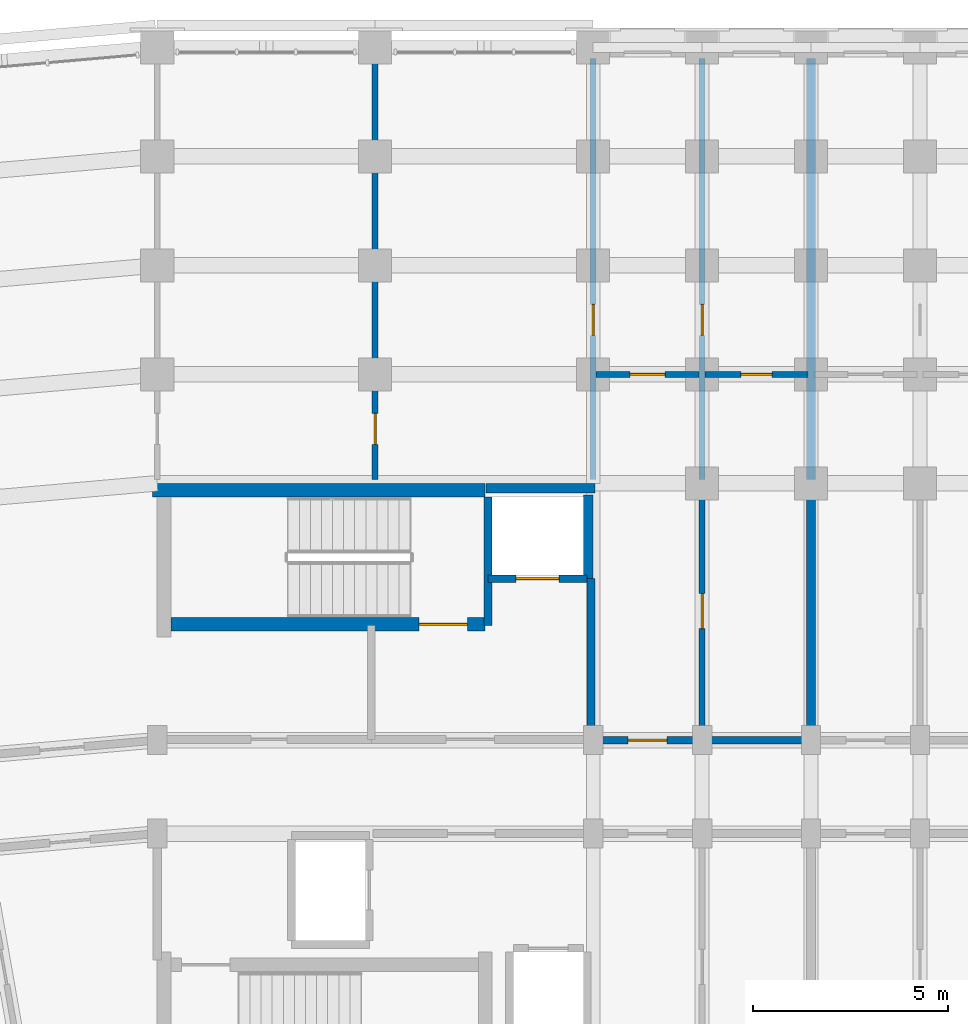
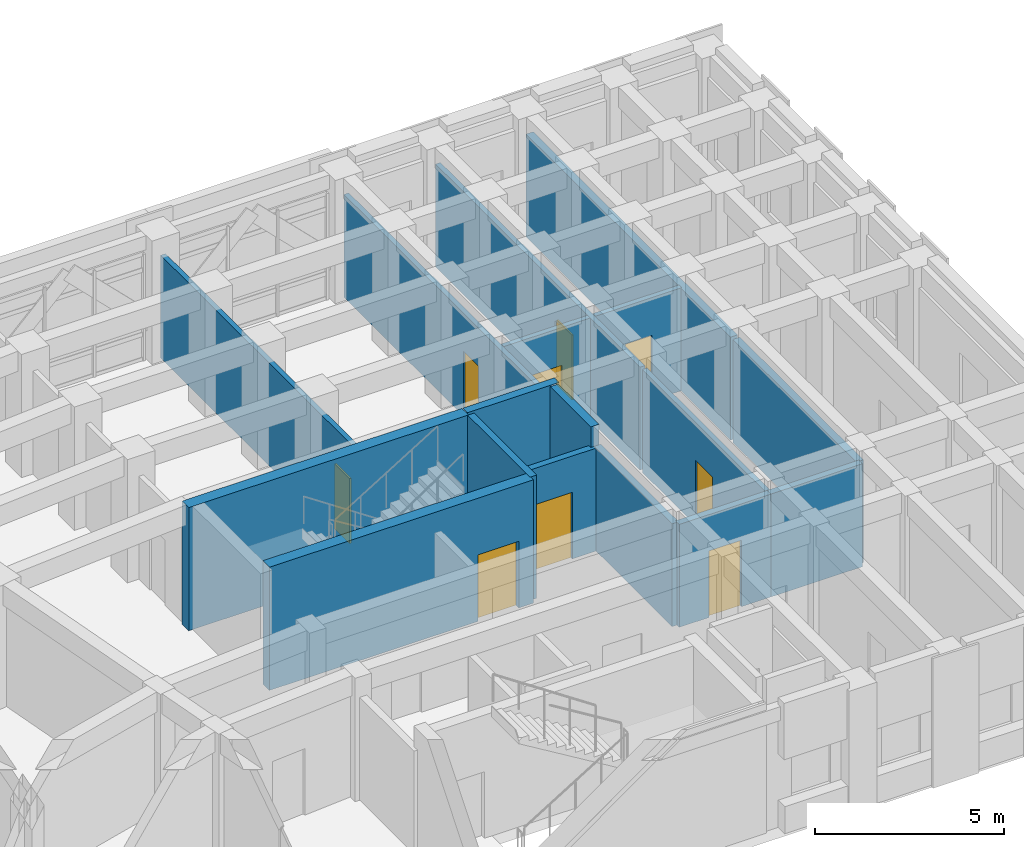
# One storey, part 70 of 97: 17 walls, 9 doors, 9 openings.
"""IFC4 building model written with IfcOpenShell, lengths in metres."""

from ifc_helpers import new_model, si_unit, direction, frame, frame_2d, origin, place, context, subcontext, project, spatial, rectangle, extrude, material, layer, layer_set, type_object, element, fill, save


model = new_model("IFC4")

# Units and contexts
model_context = context("Model", 3, precision=1e-05, world=origin(), true_north=direction((0.0, 1.0)))
body_context = subcontext(model_context, "Body", "Model", "MODEL_VIEW")
ifc_project = project(units=[si_unit("LENGTHUNIT", "METRE"), si_unit("AREAUNIT", "SQUARE_METRE"), si_unit("VOLUMEUNIT", "CUBIC_METRE"), si_unit("PLANEANGLEUNIT", "RADIAN"), si_unit("MASSUNIT", "GRAM", prefix="KILO")], contexts=[model_context])

# Site, building, storey
site_placement = place(None, origin())
site = spatial("IfcSite", under=ifc_project, at=site_placement, CompositionType="ELEMENT")
building_placement = place(site_placement, origin())
building = spatial("IfcBuilding", under=site, at=building_placement, Name="Kiranvali Square Residences", CompositionType="ELEMENT")
storey_placement = place(building_placement, frame((0.0, 0.0, 4.5)))
storey = spatial("IfcBuildingStorey", under=building, at=storey_placement, Name="L01", CompositionType="ELEMENT", Elevation=4.5)

# Wall, opening, door
ifc_material_1 = material(Name="Autoclaved aerated concrete blockwork masonry", Category="masonry")
ifc_layer_1 = layer(ifc_material_1, 0.199951171875)
ifc_layer_set_1 = layer_set([ifc_layer_1], Name="Autoclaved aerated concrete blockwork masonry")
wall_type_1 = type_object("IfcWallType", Name="WL-COR-200", PredefinedType="STANDARD", material=ifc_layer_set_1)
wall_1_placement = place(storey_placement, frame((59.39990234375, 116.0, 0.0), z_axis=(0.0, 0.0, 1.0), x_axis=(1.0, 0.0, 0.0)))
wall_1 = element("IfcWall", 1, at=wall_1_placement, inside=storey, type_object=wall_type_1, Name="L01 architectural wall WL-L01-A-A1CO-0", PredefinedType="STANDARD", context=body_context, shape_type="SweptSolid", body=[
    extrude(rectangle(XDim=2.800048828125, YDim=0.199951171875, at=frame_2d((1.39990234375, 0.0))), origin(), (0.0, 0.0, 1.0), 3.322021484375),
])
opening_1_placement = place(wall_1_placement, frame((0.89990234375, 0.0, 0.0)))
opening_1 = element("IfcOpeningElement", 2, at=opening_1_placement, cuts=wall_1, Name="Opening FD-APT-60", PredefinedType="OPENING", context=body_context, shape_type="SweptSolid", body=[
    extrude(rectangle(XDim=1.0, YDim=2.14990234375, at=frame_2d((0.5, 1.074951171875))), frame((0.0, 0.10986328125, 0.0), z_axis=(0.0, -1.0, 0.0), x_axis=(1.0, 0.0, 0.0)), (0.0, 0.0, 1.0), 0.219970703125),
])
ifc_material_2 = material(Name="Fire-rated acoustic hardwood and mineral-core door assembly", Category="wood")
door_type_1 = type_object("IfcDoorType", Name="DR-APT-1000", OperationType="NOTDEFINED", PredefinedType="DOOR", material=ifc_material_2)
door_1_placement = place(opening_1_placement, frame((1.0, 0.0, 0.0), z_axis=(0.0, 0.0, 1.0), x_axis=(-1.0, 0.0, 0.0)))
door_1 = element("IfcDoor", 3, at=door_1_placement, inside=storey, type_object=door_type_1, Name="L01 door DR-L01-0110 (DR-APT-1000)", OperationType="SINGLE_SWING_RIGHT", OverallHeight=2.14990234375, OverallWidth=1.0, PredefinedType="DOOR", context=body_context, shape_type="SweptSolid", body=[
    extrude(rectangle(XDim=1.0, YDim=2.14990234375, at=frame_2d((0.5, 1.074951171875))), frame((0.0, 0.02490234375, 0.0), z_axis=(0.0, -1.0, 0.0), x_axis=(1.0, 0.0, 0.0)), (0.0, 0.0, 1.0), 0.050048828125),
])
fill(opening_1, door_1)

# Walls
wall_2_placement = place(storey_placement, frame((62.199951171875, 116.0, 0.0), z_axis=(0.0, 0.0, 1.0), x_axis=(1.0, 0.0, 0.0)))
element("IfcWall", 4, at=wall_2_placement, inside=storey, type_object=wall_type_1, Name="L01 architectural wall WL-L01-A-A1CO-1", PredefinedType="STANDARD", context=body_context, shape_type="SweptSolid", body=[
    extrude(rectangle(XDim=2.800048828125, YDim=0.199951171875, at=frame_2d((1.39990234375, 0.0))), origin(), (0.0, 0.0, 1.0), 3.322021484375),
])
ifc_layer_2 = layer(ifc_material_1, 0.219970703125)
ifc_layer_set_2 = layer_set([ifc_layer_2], Name="Autoclaved aerated concrete blockwork masonry")
wall_type_2 = type_object("IfcWallType", Name="WL-DEM-220", PredefinedType="STANDARD", material=ifc_layer_set_2)
wall_3_placement = place(storey_placement, frame((65.0, 116.050048828125, 0.0), z_axis=(0.0, 0.0, 1.0), x_axis=(0.0, 1.0, 0.0)))
element("IfcWall", 5, at=wall_3_placement, inside=storey, type_object=wall_type_2, Name="L01 architectural wall WL-L01-A-A1TO1-2", PredefinedType="STANDARD", context=body_context, shape_type="SweptSolid", body=[
    extrude(rectangle(XDim=6.530029296875, YDim=0.219970703125, at=frame_2d((3.26513671875, 0.0))), origin(), (0.0, 0.0, 1.0), 3.322021484375),
])
wall_4_placement = place(storey_placement, frame((65.0, 122.699951171875, 0.0), z_axis=(0.0, 0.0, 1.0), x_axis=(0.0, 1.0, 0.0)))
element("IfcWall", 6, at=wall_4_placement, inside=storey, type_object=wall_type_2, Name="L01 architectural wall WL-L01-A-A1TO2-2", PredefinedType="STANDARD", context=body_context, shape_type="SweptSolid", body=[
    extrude(rectangle(XDim=10.820068359375, YDim=0.219970703125, at=frame_2d((5.41015625, 0.0))), origin(), (0.0, 0.0, 1.0), 3.322021484375),
])
ifc_layer_3 = layer(ifc_material_1, 0.199951171875)
ifc_layer_set_3 = layer_set([ifc_layer_3], Name="Autoclaved aerated concrete blockwork masonry")
wall_type_3 = type_object("IfcWallType", Name="WL-FFL-200", PredefinedType="STANDARD", material=ifc_layer_set_3)
wall_5_placement = place(storey_placement, frame((59.35009765625, 116.02001953125, 0.0), z_axis=(0.0, 0.0, 1.0), x_axis=(0.0, 1.0, 0.0)))
element("IfcWall", 7, at=wall_5_placement, inside=storey, type_object=wall_type_3, Name="L01 architectural wall WL-L01-A-FF-END", PredefinedType="STANDARD", context=body_context, shape_type="SweptSolid", body=[
    extrude(rectangle(XDim=4.1298828125, YDim=0.199951171875, at=frame_2d((2.06494140625, 0.0))), origin(), (0.0, 0.0, 1.0), 3.322021484375),
])

# Wall, opening, door
wall_6_placement = place(storey_placement, frame((56.699951171875, 120.14990234375, 0.0), z_axis=(0.0, 0.0, 1.0), x_axis=(1.0, 0.0, 0.0)))
wall_6 = element("IfcWall", 8, at=wall_6_placement, inside=storey, type_object=wall_type_3, Name="L01 architectural wall WL-L01-A-FF-LFT", PredefinedType="STANDARD", context=body_context, shape_type="SweptSolid", body=[
    extrude(rectangle(XDim=2.550048828125, YDim=0.199951171875, at=frame_2d((1.27490234375, 0.0))), origin(), (0.0, 0.0, 1.0), 3.322021484375),
])
opening_2_placement = place(wall_6_placement, frame((0.72509765625, 0.0, 0.0)))
opening_2 = element("IfcOpeningElement", 9, at=opening_2_placement, cuts=wall_6, Name="Opening LD-FF-110", PredefinedType="OPENING", context=body_context, shape_type="SweptSolid", body=[
    extrude(rectangle(XDim=1.10009765625, YDim=2.14990234375, at=frame_2d((0.550048828125, 1.074951171875))), frame((0.0, 0.10986328125, 0.0), z_axis=(0.0, -1.0, 0.0), x_axis=(1.0, 0.0, 0.0)), (0.0, 0.0, 1.0), 0.219970703125),
])
door_type_2 = type_object("IfcDoorType", Name="DR-LIFT-FF-1100", OperationType="SLIDING_TO_LEFT", PredefinedType="DOOR", material=ifc_material_2)
door_2_placement = place(opening_2_placement, origin())
door_2 = element("IfcDoor", 10, at=door_2_placement, inside=storey, type_object=door_type_2, Name="L01 door DR-L01-0098 (DR-LIFT-FF-1100)", OperationType="SLIDING_TO_LEFT", OverallHeight=2.14990234375, OverallWidth=1.10009765625, PredefinedType="DOOR", context=body_context, shape_type="SweptSolid", body=[
    extrude(rectangle(XDim=1.10009765625, YDim=2.14990234375, at=frame_2d((0.550048828125, 1.074951171875))), frame((0.0, 0.02490234375, 0.0), z_axis=(0.0, -1.0, 0.0), x_axis=(1.0, 0.0, 0.0)), (0.0, 0.0, 1.0), 0.050048828125),
])
fill(opening_2, door_2)

ifc_material_3 = material(Name="Acoustic gypsum board drylined partition", Category="gypsum")
ifc_layer_4 = layer(ifc_material_3, 0.14990234375)
ifc_layer_set_4 = layer_set([ifc_layer_4], Name="Acoustic gypsum board drylined partition")
wall_type_4 = type_object("IfcWallType", Name="WL-PRT-150", PredefinedType="PARTITIONING", material=ifc_layer_set_4)
wall_7_placement = place(storey_placement, frame((53.800048828125, 122.699951171875, 0.0), z_axis=(0.0, 0.0, 1.0), x_axis=(0.0, 1.0, 0.0)))
wall_7 = element("IfcWall", 11, at=wall_7_placement, inside=storey, type_object=wall_type_4, Name="L01 architectural wall WL-L01-A-CF-MID", PredefinedType="PARTITIONING", context=body_context, shape_type="SweptSolid", body=[
    extrude(rectangle(XDim=10.820068359375, YDim=0.14990234375, at=frame_2d((5.41015625, 0.0))), origin(), (0.0, 0.0, 1.0), 3.322021484375),
])
opening_3_placement = place(wall_7_placement, frame((0.8994140625, 0.0, 0.0)))
opening_3 = element("IfcOpeningElement", 12, at=opening_3_placement, cuts=wall_7, Name="Opening ID-WET", PredefinedType="OPENING", context=body_context, shape_type="SweptSolid", body=[
    extrude(rectangle(XDim=0.800048828125, YDim=2.10009765625, at=frame_2d((0.39990234375, 1.050048828125))), frame((0.0, 0.0849609375, 0.0), z_axis=(0.0, -1.0, 0.0), x_axis=(1.0, 0.0, 0.0)), (0.0, 0.0, 1.0), 0.169921875),
])
ifc_material_4 = material(Name="Solid seasoned teak hardwood joinery", Category="wood")
door_type_3 = type_object("IfcDoorType", Name="DR-WET-800", OperationType="NOTDEFINED", PredefinedType="DOOR", material=ifc_material_4)
door_3_placement = place(opening_3_placement, origin())
door_3 = element("IfcDoor", 13, at=door_3_placement, inside=storey, type_object=door_type_3, Name="L01 door DR-L01-0107 (DR-WET-800)", OperationType="SINGLE_SWING_LEFT", OverallHeight=2.10009765625, OverallWidth=0.800048828125, PredefinedType="DOOR", context=body_context, shape_type="SweptSolid", body=[
    extrude(rectangle(XDim=0.800048828125, YDim=2.10009765625, at=frame_2d((0.39990234375, 1.050048828125))), frame((0.0, 0.02490234375, 0.0), z_axis=(0.0, -1.0, 0.0), x_axis=(1.0, 0.0, 0.0)), (0.0, 0.0, 1.0), 0.050048828125),
])
fill(opening_3, door_3)

wall_8_placement = place(storey_placement, frame((59.39990234375, 122.699951171875, 0.0), z_axis=(0.0, 0.0, 1.0), x_axis=(0.0, 1.0, 0.0)))
wall_8 = element("IfcWall", 14, at=wall_8_placement, inside=storey, type_object=wall_type_4, Name="L01 architectural wall WL-L01-A-A1TO2-0", PredefinedType="PARTITIONING", context=body_context, shape_type="SweptSolid", body=[
    extrude(rectangle(XDim=10.820068359375, YDim=0.14990234375, at=frame_2d((5.41015625, 0.0))), origin(), (0.0, 0.0, 1.0), 3.322021484375),
])
opening_4_placement = place(wall_8_placement, frame((3.69970703125, 0.0, 0.0)))
opening_4 = element("IfcOpeningElement", 15, at=opening_4_placement, cuts=wall_8, Name="Opening ID-WET", PredefinedType="OPENING", context=body_context, shape_type="SweptSolid", body=[
    extrude(rectangle(XDim=0.800048828125, YDim=2.10009765625, at=frame_2d((0.39990234375, 1.050048828125))), frame((0.0, 0.0849609375, 0.0), z_axis=(0.0, -1.0, 0.0), x_axis=(1.0, 0.0, 0.0)), (0.0, 0.0, 1.0), 0.169921875),
])
door_4_placement = place(opening_4_placement, frame((0.800048828125, 0.0, 0.0), z_axis=(0.0, 0.0, 1.0), x_axis=(-1.0, 0.0, 0.0)))
door_4 = element("IfcDoor", 16, at=door_4_placement, inside=storey, type_object=door_type_3, Name="L01 door DR-L01-0116 (DR-WET-800)", OperationType="SINGLE_SWING_RIGHT", OverallHeight=2.10009765625, OverallWidth=0.800048828125, PredefinedType="DOOR", context=body_context, shape_type="SweptSolid", body=[
    extrude(rectangle(XDim=0.800048828125, YDim=2.10009765625, at=frame_2d((0.39990234375, 1.050048828125))), frame((0.0, 0.02490234375, 0.0), z_axis=(0.0, -1.0, 0.0), x_axis=(1.0, 0.0, 0.0)), (0.0, 0.0, 1.0), 0.050048828125),
])
fill(opening_4, door_4)

wall_9_placement = place(storey_placement, frame((62.199951171875, 116.050048828125, 0.0), z_axis=(0.0, 0.0, 1.0), x_axis=(0.0, 1.0, 0.0)))
wall_9 = element("IfcWall", 17, at=wall_9_placement, inside=storey, type_object=wall_type_4, Name="L01 architectural wall WL-L01-A-A1TO1-1", PredefinedType="PARTITIONING", context=body_context, shape_type="SweptSolid", body=[
    extrude(rectangle(XDim=6.530029296875, YDim=0.14990234375, at=frame_2d((3.26513671875, 0.0))), origin(), (0.0, 0.0, 1.0), 3.322021484375),
])
opening_5_placement = place(wall_9_placement, frame((2.81494140625, 0.0, 0.0)))
opening_5 = element("IfcOpeningElement", 18, at=opening_5_placement, cuts=wall_9, Name="Opening ID-1", PredefinedType="OPENING", context=body_context, shape_type="SweptSolid", body=[
    extrude(rectangle(XDim=0.89990234375, YDim=2.10009765625, at=frame_2d((0.449951171875, 1.050048828125))), frame((0.0, 0.0849609375, 0.0), z_axis=(0.0, -1.0, 0.0), x_axis=(1.0, 0.0, 0.0)), (0.0, 0.0, 1.0), 0.169921875),
])
door_type_4 = type_object("IfcDoorType", Name="DR-INT-900", OperationType="NOTDEFINED", PredefinedType="DOOR", material=ifc_material_4)
door_5_placement = place(opening_5_placement, frame((0.89990234375, 0.0, 0.0), z_axis=(0.0, 0.0, 1.0), x_axis=(-1.0, 0.0, 0.0)))
door_5 = element("IfcDoor", 19, at=door_5_placement, inside=storey, type_object=door_type_4, Name="L01 door DR-L01-0118 (DR-INT-900)", OperationType="SINGLE_SWING_RIGHT", OverallHeight=2.10009765625, OverallWidth=0.89990234375, PredefinedType="DOOR", context=body_context, shape_type="SweptSolid", body=[
    extrude(rectangle(XDim=0.89990234375, YDim=2.10009765625, at=frame_2d((0.449951171875, 1.050048828125))), frame((0.0, 0.02490234375, 0.0), z_axis=(0.0, -1.0, 0.0), x_axis=(1.0, 0.0, 0.0)), (0.0, 0.0, 1.0), 0.050048828125),
])
fill(opening_5, door_5)

wall_10_placement = place(storey_placement, frame((62.199951171875, 122.699951171875, 0.0), z_axis=(0.0, 0.0, 1.0), x_axis=(0.0, 1.0, 0.0)))
wall_10 = element("IfcWall", 20, at=wall_10_placement, inside=storey, type_object=wall_type_4, Name="L01 architectural wall WL-L01-A-A1TO2-1", PredefinedType="PARTITIONING", context=body_context, shape_type="SweptSolid", body=[
    extrude(rectangle(XDim=10.820068359375, YDim=0.14990234375, at=frame_2d((5.41015625, 0.0))), origin(), (0.0, 0.0, 1.0), 3.322021484375),
])
opening_6_placement = place(wall_10_placement, frame((3.69970703125, 0.0, 0.0)))
opening_6 = element("IfcOpeningElement", 21, at=opening_6_placement, cuts=wall_10, Name="Opening ID-WET", PredefinedType="OPENING", context=body_context, shape_type="SweptSolid", body=[
    extrude(rectangle(XDim=0.800048828125, YDim=2.10009765625, at=frame_2d((0.39990234375, 1.050048828125))), frame((0.0, 0.0849609375, 0.0), z_axis=(0.0, -1.0, 0.0), x_axis=(1.0, 0.0, 0.0)), (0.0, 0.0, 1.0), 0.169921875),
])
door_6_placement = place(opening_6_placement, origin())
door_6 = element("IfcDoor", 22, at=door_6_placement, inside=storey, type_object=door_type_3, Name="L01 door DR-L01-0119 (DR-WET-800)", OperationType="SINGLE_SWING_LEFT", OverallHeight=2.10009765625, OverallWidth=0.800048828125, PredefinedType="DOOR", context=body_context, shape_type="SweptSolid", body=[
    extrude(rectangle(XDim=0.800048828125, YDim=2.10009765625, at=frame_2d((0.39990234375, 1.050048828125))), frame((0.0, 0.02490234375, 0.0), z_axis=(0.0, -1.0, 0.0), x_axis=(1.0, 0.0, 0.0)), (0.0, 0.0, 1.0), 0.050048828125),
])
fill(opening_6, door_6)

# Walls
ifc_layer_5 = layer(ifc_material_1, 0.199951171875)
ifc_layer_set_5 = layer_set([ifc_layer_5], Name="Autoclaved aerated concrete blockwork masonry")
wall_type_5 = type_object("IfcWallType", Name="WL-SHF-200", PredefinedType="STANDARD", material=ifc_layer_set_5)
wall_11_placement = place(storey_placement, frame((56.699951171875, 118.949951171875, 0.0), z_axis=(0.0, 0.0, 1.0), x_axis=(0.0, 1.0, 0.0)))
element("IfcWall", 23, at=wall_11_placement, inside=storey, type_object=wall_type_5, Name="L01 architectural wall WL-L01-A-FF-SHF", PredefinedType="STANDARD", context=body_context, shape_type="SweptSolid", body=[
    extrude(rectangle(XDim=3.300048828125, YDim=0.199951171875, at=frame_2d((1.64990234375, 0.0))), origin(), (0.0, 0.0, 1.0), 3.97998046875),
])
ifc_material_5 = material(Name="Concrete M45 (45 MPa)", Category="concrete")
ifc_layer_6 = layer(ifc_material_5, 0.25)
ifc_layer_set_6 = layer_set([ifc_layer_6], Name="Concrete M45 (45 MPa)")
wall_type_6 = type_object("IfcWallType", Name="WL-SHR-250", PredefinedType="SHEAR", material=ifc_layer_set_6)
wall_12_placement = place(storey_placement, frame((56.64990234375, 122.47509765625, 0.0), z_axis=(0.0, 0.0, 1.0), x_axis=(1.0, 0.0, 0.0)))
element("IfcWall", 24, at=wall_12_placement, inside=storey, type_object=wall_type_6, Name="Block A core shear wall SW-AFF-BK-L01", PredefinedType="SHEAR", context=body_context, shape_type="SweptSolid", body=[
    extrude(rectangle(XDim=2.800048828125, YDim=0.25, at=frame_2d((1.39990234375, 0.0))), origin(), (0.0, 0.0, 1.0), 3.97998046875),
])
wall_13_placement = place(storey_placement, frame((59.27490234375, 120.14990234375, 0.0), z_axis=(0.0, 0.0, 1.0), x_axis=(0.0, 1.0, 0.0)))
element("IfcWall", 25, at=wall_13_placement, inside=storey, type_object=wall_type_6, Name="Block A core shear wall SW-AFF-SD-L01", PredefinedType="SHEAR", context=body_context, shape_type="SweptSolid", body=[
    extrude(rectangle(XDim=2.150146484375, YDim=0.25, at=frame_2d((1.0751953125, 0.0))), origin(), (0.0, 0.0, 1.0), 3.97998046875),
])
ifc_material_6 = material(Name="Concrete M50 (50 MPa)", Category="concrete")
ifc_layer_7 = layer(ifc_material_6, 0.35009765625)
ifc_layer_set_7 = layer_set([ifc_layer_7], Name="Concrete M50 (50 MPa)")
wall_type_7 = type_object("IfcWallType", Name="WL-SHR-350", PredefinedType="SHEAR", material=ifc_layer_set_7)
wall_14_placement = place(storey_placement, frame((48.080078125, 122.425048828125, 0.0), z_axis=(0.0, 0.0, 1.0), x_axis=(1.0, 0.0, 0.0)))
element("IfcWall", 26, at=wall_14_placement, inside=storey, type_object=wall_type_7, Name="Block A core shear wall SW-A1-OUT-L01", PredefinedType="SHEAR", context=body_context, shape_type="SweptSolid", body=[
    extrude(rectangle(XDim=8.544921875, YDim=0.35009765625, at=frame_2d((4.2724609375, 0.0))), origin(), (0.0, 0.0, 1.0), 3.97998046875),
])

# Wall, opening, door
wall_15_placement = place(storey_placement, frame((48.550048828125, 118.97509765625, 0.0), z_axis=(0.0, 0.0, 1.0), x_axis=(1.0, 0.0, 0.0)))
wall_15 = element("IfcWall", 27, at=wall_15_placement, inside=storey, type_object=wall_type_7, Name="Block A core shear wall SW-A1-IN-L01", PredefinedType="SHEAR", context=body_context, shape_type="SweptSolid", body=[
    extrude(rectangle(XDim=8.074951171875, YDim=0.35009765625, at=frame_2d((4.03759765625, 0.0))), origin(), (0.0, 0.0, 1.0), 3.97998046875),
])
opening_7_placement = place(wall_15_placement, frame((6.3798828125, 0.0, 0.0)))
opening_7 = element("IfcOpeningElement", 28, at=opening_7_placement, cuts=wall_15, Name="Opening FD-ST-120", PredefinedType="OPENING", context=body_context, shape_type="SweptSolid", body=[
    extrude(rectangle(XDim=1.239990234375, YDim=2.14990234375, at=frame_2d((0.6201171875, 1.074951171875))), frame((0.0, 0.18505859375, 0.0), z_axis=(0.0, -1.0, 0.0), x_axis=(1.0, 0.0, 0.0)), (0.0, 0.0, 1.0), 0.3701171875),
])
door_type_5 = type_object("IfcDoorType", Name="DR-FD120-1200", OperationType="NOTDEFINED", PredefinedType="DOOR", material=ifc_material_2)
door_7_placement = place(opening_7_placement, origin())
door_7 = element("IfcDoor", 29, at=door_7_placement, inside=storey, type_object=door_type_5, Name="L01 door DR-L01-0099 (DR-FD120-1200)", OperationType="SINGLE_SWING_LEFT", OverallHeight=2.14990234375, OverallWidth=1.239990234375, PredefinedType="DOOR", context=body_context, shape_type="SweptSolid", body=[
    extrude(rectangle(XDim=1.239990234375, YDim=2.14990234375, at=frame_2d((0.6201171875, 1.074951171875))), frame((0.0, 0.02490234375, 0.0), z_axis=(0.0, -1.0, 0.0), x_axis=(1.0, 0.0, 0.0)), (0.0, 0.0, 1.0), 0.050048828125),
])
fill(opening_7, door_7)

ifc_layer_8 = layer(ifc_material_1, 0.14990234375)
ifc_layer_set_8 = layer_set([ifc_layer_8], Name="Autoclaved aerated concrete blockwork masonry")
wall_type_8 = type_object("IfcWallType", Name="WL-WET-150", PredefinedType="PLUMBINGWALL", material=ifc_layer_set_8)
wall_16_placement = place(storey_placement, frame((59.47998046875, 125.39990234375, 0.0), z_axis=(0.0, 0.0, 1.0), x_axis=(1.0, 0.0, 0.0)))
wall_16 = element("IfcWall", 30, at=wall_16_placement, inside=storey, type_object=wall_type_8, Name="L01 architectural wall WL-L01-A-A1SP-0", PredefinedType="PLUMBINGWALL", context=body_context, shape_type="SweptSolid", body=[
    extrude(rectangle(XDim=2.64013671875, YDim=0.14990234375, at=frame_2d((1.320068359375, 0.0))), origin(), (0.0, 0.0, 1.0), 3.322021484375),
])
opening_8_placement = place(wall_16_placement, frame((0.8701171875, 0.0, 0.0)))
opening_8 = element("IfcOpeningElement", 31, at=opening_8_placement, cuts=wall_16, Name="Opening ID-1", PredefinedType="OPENING", context=body_context, shape_type="SweptSolid", body=[
    extrude(rectangle(XDim=0.89990234375, YDim=2.10009765625, at=frame_2d((0.449951171875, 1.050048828125))), frame((0.0, 0.0849609375, 0.0), z_axis=(0.0, -1.0, 0.0), x_axis=(1.0, 0.0, 0.0)), (0.0, 0.0, 1.0), 0.169921875),
])
door_8_placement = place(opening_8_placement, origin())
door_8 = element("IfcDoor", 32, at=door_8_placement, inside=storey, type_object=door_type_4, Name="L01 door DR-L01-0109 (DR-INT-900)", OperationType="SINGLE_SWING_LEFT", OverallHeight=2.10009765625, OverallWidth=0.89990234375, PredefinedType="DOOR", context=body_context, shape_type="SweptSolid", body=[
    extrude(rectangle(XDim=0.89990234375, YDim=2.10009765625, at=frame_2d((0.449951171875, 1.050048828125))), frame((0.0, 0.02490234375, 0.0), z_axis=(0.0, -1.0, 0.0), x_axis=(1.0, 0.0, 0.0)), (0.0, 0.0, 1.0), 0.050048828125),
])
fill(opening_8, door_8)

wall_17_placement = place(storey_placement, frame((62.280029296875, 125.39990234375, 0.0), z_axis=(0.0, 0.0, 1.0), x_axis=(1.0, 0.0, 0.0)))
wall_17 = element("IfcWall", 33, at=wall_17_placement, inside=storey, type_object=wall_type_8, Name="L01 architectural wall WL-L01-A-A1SP-1", PredefinedType="PLUMBINGWALL", context=body_context, shape_type="SweptSolid", body=[
    extrude(rectangle(XDim=2.639892578125, YDim=0.14990234375, at=frame_2d((1.31982421875, 0.0))), origin(), (0.0, 0.0, 1.0), 3.322021484375),
])
opening_9_placement = place(wall_17_placement, frame((0.919921875, 0.0, 0.0)))
opening_9 = element("IfcOpeningElement", 34, at=opening_9_placement, cuts=wall_17, Name="Opening ID-WET", PredefinedType="OPENING", context=body_context, shape_type="SweptSolid", body=[
    extrude(rectangle(XDim=0.800048828125, YDim=2.10009765625, at=frame_2d((0.39990234375, 1.050048828125))), frame((0.0, 0.0849609375, 0.0), z_axis=(0.0, -1.0, 0.0), x_axis=(1.0, 0.0, 0.0)), (0.0, 0.0, 1.0), 0.169921875),
])
door_9_placement = place(opening_9_placement, origin())
door_9 = element("IfcDoor", 35, at=door_9_placement, inside=storey, type_object=door_type_3, Name="L01 door DR-L01-0111 (DR-WET-800)", OperationType="SINGLE_SWING_LEFT", OverallHeight=2.10009765625, OverallWidth=0.800048828125, PredefinedType="DOOR", context=body_context, shape_type="SweptSolid", body=[
    extrude(rectangle(XDim=0.800048828125, YDim=2.10009765625, at=frame_2d((0.39990234375, 1.050048828125))), frame((0.0, 0.02490234375, 0.0), z_axis=(0.0, -1.0, 0.0), x_axis=(1.0, 0.0, 0.0)), (0.0, 0.0, 1.0), 0.050048828125),
])
fill(opening_9, door_9)

save(model, "model.ifc")
